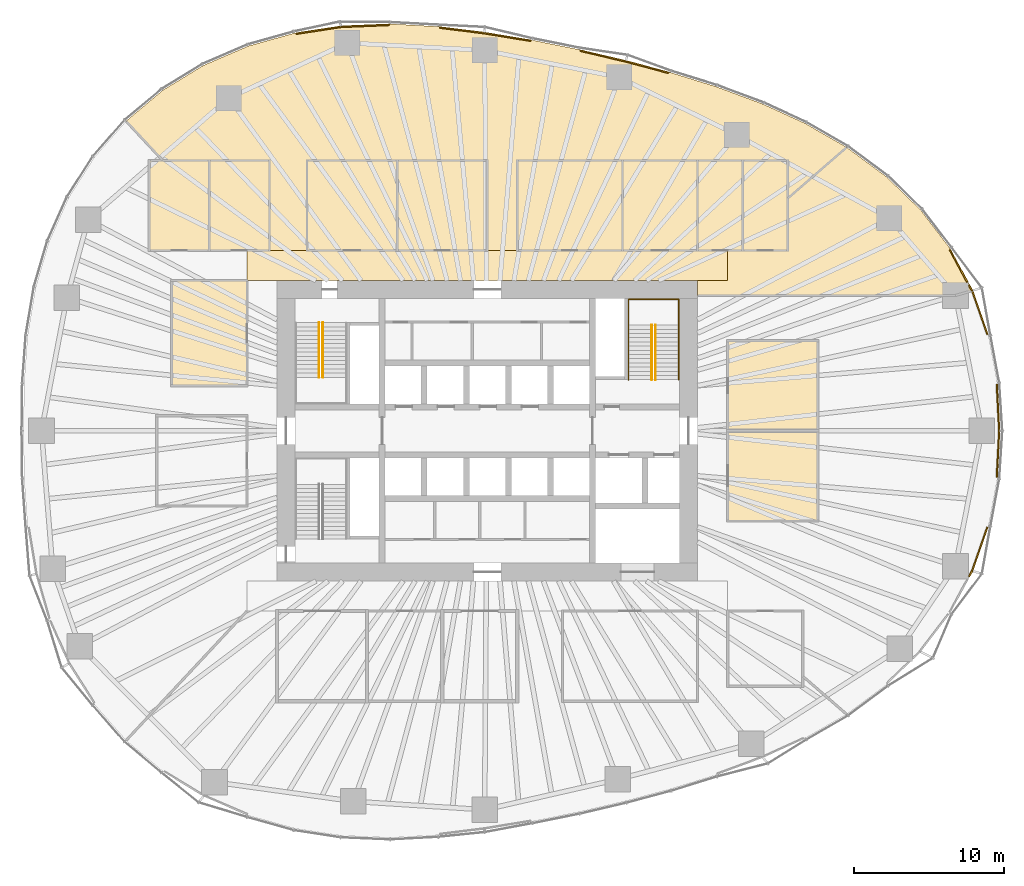
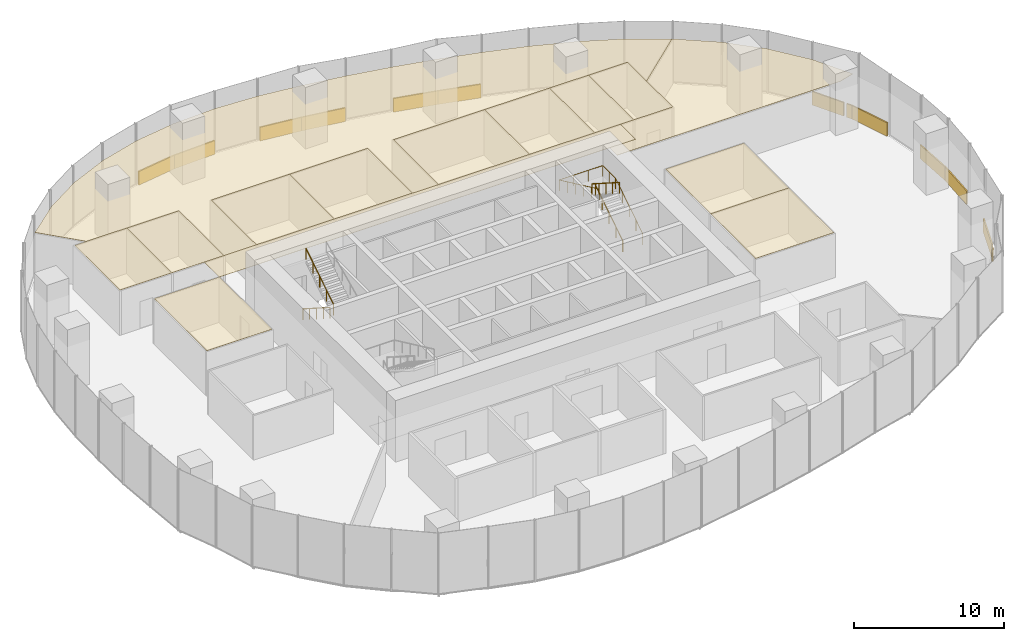
# One storey, part 19 of 19: 27 coverings, 5 railings.
"""IFC4 building model written with IfcOpenShell, lengths in metres."""

from ifc_helpers import new_model, si_unit, direction, frame, origin, origin_2d, place, context, subcontext, project, spatial, polyline, rectangle, circle, outline, extrude, material, layer, layer_set, type_object, element, save


model = new_model("IFC4")

# Units and contexts
model_context = context("Model", 3, precision=1e-05, world=origin(), true_north=direction((0.0, 1.0)))
body_context = subcontext(model_context, "Body", "Model", "MODEL_VIEW")
ifc_project = project(units=[si_unit("LENGTHUNIT", "METRE"), si_unit("AREAUNIT", "SQUARE_METRE"), si_unit("VOLUMEUNIT", "CUBIC_METRE"), si_unit("PLANEANGLEUNIT", "RADIAN"), si_unit("MASSUNIT", "GRAM", prefix="KILO")], contexts=[model_context])

# Site, building, storey
site_placement = place(None, origin())
site = spatial("IfcSite", under=ifc_project, at=site_placement, CompositionType="ELEMENT")
building_placement = place(site_placement, origin())
building = spatial("IfcBuilding", under=site, at=building_placement, Name="Ghaith Harvest Tower", CompositionType="ELEMENT")
storey_placement = place(building_placement, frame((0.0, 0.0, 70.0)))
storey = spatial("IfcBuildingStorey", under=building, at=storey_placement, Name="L14", CompositionType="ELEMENT", Elevation=70.0)

# Coverings
ifc_material_1 = material(Name="Mineral fibre ceiling tile", Category="gypsum")
ifc_layer_1 = layer(ifc_material_1, 0.02490234375)
ifc_layer_set_1 = layer_set([ifc_layer_1], Name="CEILING C2")
covering_type_1 = type_object("IfcCoveringType", Name="CEILING C2", PredefinedType="CEILING", material=ifc_layer_set_1)
covering_1_placement = place(storey_placement, frame((0.0, 0.0, 3.60009765625)))
element("IfcCovering", 1, at=covering_1_placement, inside=storey, type_object=covering_type_1, Name="Ceiling L14-01", PredefinedType="CEILING", context=body_context, shape_type="SweptSolid", body=[
    extrude(outline(polyline([(-12.0, 12.0), (-6.0, 12.0), (-6.0, 18.0), (-12.0, 18.0), (-12.0, 12.0)])), origin(), (0.0, 0.0, 1.0), 0.02490234375),
])
covering_2_placement = place(storey_placement, frame((0.0, 0.0, 3.60009765625)))
element("IfcCovering", 2, at=covering_2_placement, inside=storey, type_object=covering_type_1, Name="Ceiling L14-02", PredefinedType="CEILING", context=body_context, shape_type="SweptSolid", body=[
    extrude(outline(polyline([(-6.0, 12.0), (0.0, 12.0), (0.0, 18.0), (-6.0, 18.0), (-6.0, 12.0)])), origin(), (0.0, 0.0, 1.0), 0.02490234375),
])
covering_3_placement = place(storey_placement, frame((0.0, 0.0, 3.60009765625)))
element("IfcCovering", 3, at=covering_3_placement, inside=storey, type_object=covering_type_1, Name="Ceiling L14-08", PredefinedType="CEILING", context=body_context, shape_type="SweptSolid", body=[
    extrude(outline(polyline([(16.0, -6.0), (22.0, -6.0), (22.0, 0.0), (16.0, 0.0), (16.0, -6.0)])), origin(), (0.0, 0.0, 1.0), 0.02490234375),
])
covering_4_placement = place(storey_placement, frame((0.0, 0.0, 3.60009765625)))
element("IfcCovering", 4, at=covering_4_placement, inside=storey, type_object=covering_type_1, Name="Ceiling L14-09", PredefinedType="CEILING", context=body_context, shape_type="SweptSolid", body=[
    extrude(outline(polyline([(16.0, 0.0), (22.0, 0.0), (22.0, 6.0), (16.0, 6.0), (16.0, 0.0)])), origin(), (0.0, 0.0, 1.0), 0.02490234375),
])
covering_5_placement = place(storey_placement, frame((0.0, 0.0, 3.60009765625)))
element("IfcCovering", 5, at=covering_5_placement, inside=storey, type_object=covering_type_1, Name="Ceiling L14-10", PredefinedType="CEILING", context=body_context, shape_type="SweptSolid", body=[
    extrude(outline(polyline([(2.0, 12.0), (9.0, 12.0), (9.0, 18.0), (2.0, 18.0), (2.0, 12.0)])), origin(), (0.0, 0.0, 1.0), 0.02490234375),
])
covering_6_placement = place(storey_placement, frame((0.0, 0.0, 3.60009765625)))
element("IfcCovering", 6, at=covering_6_placement, inside=storey, type_object=covering_type_1, Name="Ceiling L14-11", PredefinedType="CEILING", context=body_context, shape_type="SweptSolid", body=[
    extrude(outline(polyline([(9.0, 12.0), (14.0, 12.0), (14.0, 18.0), (9.0, 18.0), (9.0, 12.0)])), origin(), (0.0, 0.0, 1.0), 0.02490234375),
])
covering_7_placement = place(storey_placement, frame((0.0, 0.0, 3.60009765625)))
element("IfcCovering", 7, at=covering_7_placement, inside=storey, type_object=covering_type_1, Name="Ceiling L14-12", PredefinedType="CEILING", context=body_context, shape_type="SweptSolid", body=[
    extrude(outline(polyline([(14.0, 12.0), (17.0, 12.0), (17.0, 18.0), (14.0, 18.0), (14.0, 12.0)])), origin(), (0.0, 0.0, 1.0), 0.02490234375),
])
covering_8_placement = place(storey_placement, frame((0.0, 0.0, 3.60009765625)))
element("IfcCovering", 8, at=covering_8_placement, inside=storey, type_object=covering_type_1, Name="Ceiling L14-13", PredefinedType="CEILING", context=body_context, shape_type="SweptSolid", body=[
    extrude(outline(polyline([(17.0, 12.0), (20.0, 12.0), (20.0, 18.0), (17.0, 18.0), (17.0, 12.0)])), origin(), (0.0, 0.0, 1.0), 0.02490234375),
])
covering_9_placement = place(storey_placement, frame((0.0, 0.0, 3.60009765625)))
element("IfcCovering", 9, at=covering_9_placement, inside=storey, type_object=covering_type_1, Name="Ceiling L14-14", PredefinedType="CEILING", context=body_context, shape_type="SweptSolid", body=[
    extrude(outline(polyline([(-22.5, 12.0), (-18.5, 12.0), (-18.5, 18.0), (-22.5, 18.0), (-22.5, 12.0)])), origin(), (0.0, 0.0, 1.0), 0.02490234375),
])
covering_10_placement = place(storey_placement, frame((0.0, 0.0, 3.60009765625)))
element("IfcCovering", 10, at=covering_10_placement, inside=storey, type_object=covering_type_1, Name="Ceiling L14-15", PredefinedType="CEILING", context=body_context, shape_type="SweptSolid", body=[
    extrude(outline(polyline([(-18.5, 12.0), (-14.5, 12.0), (-14.5, 18.0), (-18.5, 18.0), (-18.5, 12.0)])), origin(), (0.0, 0.0, 1.0), 0.02490234375),
])
covering_11_placement = place(storey_placement, frame((0.0, 0.0, 3.60009765625)))
element("IfcCovering", 11, at=covering_11_placement, inside=storey, type_object=covering_type_1, Name="Ceiling L14-17", PredefinedType="CEILING", context=body_context, shape_type="SweptSolid", body=[
    extrude(outline(polyline([(-21.0, 3.0), (-16.0, 3.0), (-16.0, 10.0), (-21.0, 10.0), (-21.0, 3.0)])), origin(), (0.0, 0.0, 1.0), 0.02490234375),
])
covering_12_placement = place(storey_placement, frame((0.0, 0.0, 3.60009765625)))
element("IfcCovering", 12, at=covering_12_placement, inside=storey, type_object=covering_type_1, Name="Ceiling L14-C1", PredefinedType="CEILING", context=body_context, shape_type="SweptSolid", body=[
    extrude(outline(polyline([(16.0, 10.0), (-16.0, 10.0), (-16.0, 12.0), (16.0, 12.0), (16.0, 10.0)])), origin(), (0.0, 0.0, 1.0), 0.02490234375),
])
covering_13_placement = place(storey_placement, frame((0.0, 0.0, 3.60009765625)))
element("IfcCovering", 13, at=covering_13_placement, inside=storey, type_object=covering_type_1, Name="Ceiling L14-N1", PredefinedType="CEILING", context=body_context, shape_type="SweptSolid", body=[
    extrude(outline(polyline([(-21.59912109375, 22.671142578125), (-18.8935546875, 24.32763671875), (-15.907958984375, 25.614501953125), (-12.828125, 26.476806640625), (-9.733642578125, 26.949951171875), (-6.4375, 27.0849609375), (-3.24755859375, 26.91064453125), (-0.181396484375, 26.527099609375), (2.99560546875, 26.004150390625), (6.10888671875, 25.378662109375), (9.21533203125, 24.65087890625), (12.1796875, 23.857666015625), (15.22119140625, 22.916259765625), (18.34521484375, 21.7548828125), (21.149169921875, 20.469482421875), (23.92431640625, 18.873046875), (20.0, 15.469482421875), (20.0, 18.0), (2.0, 18.0), (2.0, 12.0), (0.0, 12.0), (0.0, 18.0), (-12.0, 18.0), (-12.0, 12.0), (-14.5, 12.0), (-14.5, 18.0), (-21.60302734375, 18.0), (-24.04833984375, 20.618408203125), (-21.59912109375, 22.671142578125)])), origin(), (0.0, 0.0, 1.0), 0.02490234375),
])
covering_14_placement = place(storey_placement, frame((0.0, 0.0, 3.60009765625)))
element("IfcCovering", 14, at=covering_14_placement, inside=storey, type_object=covering_type_1, Name="Ceiling L14-E1", PredefinedType="CEILING", context=body_context, shape_type="SweptSolid", body=[
    extrude(outline(polyline([(26.572509765625, 16.9111328125), (28.840087890625, 14.708984375), (30.78515625, 12.1708984375), (32.318359375, 9.3408203125), (32.318359375, 9.3408203125), (31.166015625, 9.008056640625), (14.0, 9.008056640625), (14.0, 10.0), (16.0, 10.0), (16.0, 12.0), (20.0, 12.0), (20.0, 15.469482421875), (23.92431640625, 18.873046875), (26.572509765625, 16.9111328125)])), origin(), (0.0, 0.0, 1.0), 0.02490234375),
])

# Railings
ifc_material_2 = material(Name="Steel, black powder-coated", Category="steel")
railing_type = type_object("IfcRailingType", Name="HANDRAIL HR1", PredefinedType="HANDRAIL", material=ifc_material_2)
railing_1_placement = place(storey_placement, frame((-11.199951171875, 7.199951171875, 0.178466796875)))
element("IfcRailing", 15, at=railing_1_placement, inside=storey, type_object=railing_type, Name="Handrail HR1 stair ST1 L14 flight 1 inner", PredefinedType="HANDRAIL", context=body_context, shape_type="SweptSolid", body=[
    extrude(circle(Radius=0.02392578125, at=origin_2d()), frame((0.0, 0.0, 0.8759765625), z_axis=(0.0, -0.843111507901, 0.53773877045), x_axis=(1.0, 0.0, 0.0)), (0.0, 0.0, 1.0), 4.317138671875),
    extrude(circle(Radius=0.02099609375, at=origin_2d()), origin(), (0.0, 0.0, 1.0), 0.851806640625),
    extrude(circle(Radius=0.02099609375, at=origin_2d()), frame((0.0, -0.909912109375, 0.580322265625)), (0.0, 0.0, 1.0), 0.851806640625),
    extrude(circle(Radius=0.02099609375, at=origin_2d()), frame((0.0, -1.81982421875, 1.16064453125)), (0.0, 0.0, 1.0), 0.851806640625),
    extrude(circle(Radius=0.02099609375, at=origin_2d()), frame((0.0, -2.72998046875, 1.7412109375)), (0.0, 0.0, 1.0), 0.851806640625),
    extrude(circle(Radius=0.02099609375, at=origin_2d()), frame((0.0, -3.639892578125, 2.321533203125)), (0.0, 0.0, 1.0), 0.851806640625),
])
railing_2_placement = place(storey_placement, frame((-10.949951171875, 3.56005859375, 2.678466796875)))
element("IfcRailing", 16, at=railing_2_placement, inside=storey, type_object=railing_type, Name="Handrail HR1 stair ST1 L14 flight 2 inner", PredefinedType="HANDRAIL", context=body_context, shape_type="SweptSolid", body=[
    extrude(circle(Radius=0.02392578125, at=origin_2d()), frame((0.0, 0.0, 0.8759765625), z_axis=(0.0, 0.843111507901, 0.53773877045), x_axis=(-1.0, 0.0, 0.0)), (0.0, 0.0, 1.0), 4.317138671875),
    extrude(circle(Radius=0.02099609375, at=origin_2d()), origin(), (0.0, 0.0, 1.0), 0.851806640625),
    extrude(circle(Radius=0.02099609375, at=origin_2d()), frame((0.0, 0.909912109375, 0.580322265625)), (0.0, 0.0, 1.0), 0.851806640625),
    extrude(circle(Radius=0.02099609375, at=origin_2d()), frame((0.0, 1.81982421875, 1.16064453125)), (0.0, 0.0, 1.0), 0.851806640625),
    extrude(circle(Radius=0.02099609375, at=origin_2d()), frame((0.0, 2.72998046875, 1.7412109375)), (0.0, 0.0, 1.0), 0.851806640625),
    extrude(circle(Radius=0.02099609375, at=origin_2d()), frame((0.0, 3.639892578125, 2.321533203125)), (0.0, 0.0, 1.0), 0.851806640625),
])
railing_3_placement = place(storey_placement, frame((11.199951171875, 3.39990234375, 0.178466796875)))
element("IfcRailing", 17, at=railing_3_placement, inside=storey, type_object=railing_type, Name="Handrail HR1 stair ST2 L14 flight 1 inner", PredefinedType="HANDRAIL", context=body_context, shape_type="SweptSolid", body=[
    extrude(circle(Radius=0.02392578125, at=origin_2d()), frame((0.0, 0.0, 0.8759765625), z_axis=(0.0, 0.843127859045, 0.537713132908), x_axis=(-1.0, 0.0, 0.0)), (0.0, 0.0, 1.0), 4.3173828125),
    extrude(circle(Radius=0.02099609375, at=origin_2d()), origin(), (0.0, 0.0, 1.0), 0.851806640625),
    extrude(circle(Radius=0.02099609375, at=origin_2d()), frame((0.0, 0.91015625, 0.580322265625)), (0.0, 0.0, 1.0), 0.851806640625),
    extrude(circle(Radius=0.02099609375, at=origin_2d()), frame((0.0, 1.820068359375, 1.16064453125)), (0.0, 0.0, 1.0), 0.851806640625),
    extrude(circle(Radius=0.02099609375, at=origin_2d()), frame((0.0, 2.72998046875, 1.7412109375)), (0.0, 0.0, 1.0), 0.851806640625),
    extrude(circle(Radius=0.02099609375, at=origin_2d()), frame((0.0, 3.64013671875, 2.321533203125)), (0.0, 0.0, 1.0), 0.851806640625),
])
railing_4_placement = place(storey_placement, frame((10.949951171875, 7.0400390625, 2.678466796875)))
element("IfcRailing", 18, at=railing_4_placement, inside=storey, type_object=railing_type, Name="Handrail HR1 stair ST2 L14 flight 2 inner", PredefinedType="HANDRAIL", context=body_context, shape_type="SweptSolid", body=[
    extrude(circle(Radius=0.02392578125, at=origin_2d()), frame((0.0, 0.0, 0.8759765625), z_axis=(0.0, -0.843127859045, 0.537713132908), x_axis=(1.0, 0.0, 0.0)), (0.0, 0.0, 1.0), 4.3173828125),
    extrude(circle(Radius=0.02099609375, at=origin_2d()), origin(), (0.0, 0.0, 1.0), 0.851806640625),
    extrude(circle(Radius=0.02099609375, at=origin_2d()), frame((0.0, -0.91015625, 0.580322265625)), (0.0, 0.0, 1.0), 0.851806640625),
    extrude(circle(Radius=0.02099609375, at=origin_2d()), frame((0.0, -1.820068359375, 1.16064453125)), (0.0, 0.0, 1.0), 0.851806640625),
    extrude(circle(Radius=0.02099609375, at=origin_2d()), frame((0.0, -2.72998046875, 1.7412109375)), (0.0, 0.0, 1.0), 0.851806640625),
    extrude(circle(Radius=0.02099609375, at=origin_2d()), frame((0.0, -3.64013671875, 2.321533203125)), (0.0, 0.0, 1.0), 0.851806640625),
])
railing_5_placement = place(storey_placement, frame((12.75, 3.39990234375, 0.178466796875)))
element("IfcRailing", 19, at=railing_5_placement, inside=storey, type_object=railing_type, Name="Handrail HR1 stair ST2 L14 wall side", PredefinedType="HANDRAIL", context=body_context, shape_type="SweptSolid", body=[
    extrude(circle(Radius=0.02392578125, at=origin_2d()), frame((0.0, 0.0, 0.8759765625), z_axis=(0.0, 0.843127859045, 0.537713132908), x_axis=(-1.0, 0.0, 0.0)), (0.0, 0.0, 1.0), 4.3173828125),
    extrude(circle(Radius=0.02392578125, at=origin_2d()), frame((0.0, 3.64013671875, 3.197265625), z_axis=(0.0, 1.0, 0.0), x_axis=(-1.0, 0.0, 0.0)), (0.0, 0.0, 1.0), 1.7099609375),
    extrude(circle(Radius=0.02392578125, at=origin_2d()), frame((0.0, 5.35009765625, 3.197265625), z_axis=(-1.0, 0.0, 0.0), x_axis=(0.0, -1.0, 0.0)), (0.0, 0.0, 1.0), 3.35009765625),
    extrude(circle(Radius=0.02392578125, at=origin_2d()), frame((-3.35009765625, 5.35009765625, 3.197265625), z_axis=(0.0, -0.905969675553, 0.423342588193), x_axis=(1.0, 0.0, 0.0)), (0.0, 0.0, 1.0), 5.9052734375),
    extrude(circle(Radius=0.02099609375, at=origin_2d()), origin(), (0.0, 0.0, 1.0), 0.851806640625),
    extrude(circle(Radius=0.02099609375, at=origin_2d()), frame((0.0, 0.91015625, 0.580322265625)), (0.0, 0.0, 1.0), 0.851806640625),
    extrude(circle(Radius=0.02099609375, at=origin_2d()), frame((0.0, 1.820068359375, 1.16064453125)), (0.0, 0.0, 1.0), 0.851806640625),
    extrude(circle(Radius=0.02099609375, at=origin_2d()), frame((0.0, 2.72998046875, 1.7412109375)), (0.0, 0.0, 1.0), 0.851806640625),
    extrude(circle(Radius=0.02099609375, at=origin_2d()), frame((0.0, 3.64013671875, 2.321533203125)), (0.0, 0.0, 1.0), 0.851806640625),
    extrude(circle(Radius=0.02099609375, at=origin_2d()), frame((0.0, 4.4951171875, 2.321533203125)), (0.0, 0.0, 1.0), 0.851806640625),
    extrude(circle(Radius=0.02099609375, at=origin_2d()), frame((0.0, 5.35009765625, 2.321533203125)), (0.0, 0.0, 1.0), 0.851806640625),
    extrude(circle(Radius=0.02099609375, at=origin_2d()), frame((-1.11669921875, 5.35009765625, 2.321533203125)), (0.0, 0.0, 1.0), 0.851806640625),
    extrude(circle(Radius=0.02099609375, at=origin_2d()), frame((-2.2333984375, 5.35009765625, 2.321533203125)), (0.0, 0.0, 1.0), 0.851806640625),
    extrude(circle(Radius=0.02099609375, at=origin_2d()), frame((-3.35009765625, 5.35009765625, 2.321533203125)), (0.0, 0.0, 1.0), 0.851806640625),
    extrude(circle(Radius=0.02099609375, at=origin_2d()), frame((-3.35009765625, 4.280029296875, 2.821533203125)), (0.0, 0.0, 1.0), 0.851806640625),
    extrude(circle(Radius=0.02099609375, at=origin_2d()), frame((-3.35009765625, 3.2099609375, 3.321533203125)), (0.0, 0.0, 1.0), 0.851806640625),
    extrude(circle(Radius=0.02099609375, at=origin_2d()), frame((-3.35009765625, 2.14013671875, 3.821533203125)), (0.0, 0.0, 1.0), 0.851806640625),
    extrude(circle(Radius=0.02099609375, at=origin_2d()), frame((-3.35009765625, 1.070068359375, 4.321533203125)), (0.0, 0.0, 1.0), 0.851806640625),
    extrude(circle(Radius=0.02099609375, at=origin_2d()), frame((-3.35009765625, 0.0, 4.821533203125)), (0.0, 0.0, 1.0), 0.851806640625),
])

# Coverings
ifc_material_3 = material(Name="Insulated aluminium spandrel panel on steel framing", Category="steel")
ifc_layer_2 = layer(ifc_material_3, 0.10009765625)
ifc_layer_set_2 = layer_set([ifc_layer_2], Name="SLAB EDGE UPSTAND 1100x100")
covering_type_2 = type_object("IfcCoveringType", Name="SLAB EDGE UPSTAND 1100x100", PredefinedType="CLADDING", material=ifc_layer_set_2)
covering_15_placement = place(storey_placement, frame((33.994384765625, 1.54443359375, 0.0), z_axis=(0.0, 0.0, 1.0), x_axis=(-0.052048501689, 0.998644558125, 0.0)))
element("IfcCovering", 20, at=covering_15_placement, inside=storey, type_object=covering_type_2, Name="Slab edge upstand 1 bay 01 L14", PredefinedType="CLADDING", context=body_context, shape_type="SweptSolid", body=[
    extrude(rectangle(XDim=3.098388671875, YDim=0.10009765625, at=origin_2d()), origin(), (0.0, 0.0, 1.0), 1.10009765625),
])
covering_16_placement = place(storey_placement, frame((32.78125, 7.867919921875, 0.0), z_axis=(0.0, 0.0, 1.0), x_axis=(-0.330597697022, 0.943771774702, 0.0)))
element("IfcCovering", 21, at=covering_16_placement, inside=storey, type_object=covering_type_2, Name="Slab edge upstand 3 bay 01 L14", PredefinedType="CLADDING", context=body_context, shape_type="SweptSolid", body=[
    extrude(rectangle(XDim=3.0859375, YDim=0.10009765625, at=origin_2d()), origin(), (0.0, 0.0, 1.0), 1.10009765625),
])
covering_17_placement = place(storey_placement, frame((32.172119140625, 9.505615234375, 0.0), z_axis=(0.0, 0.0, 1.0), x_axis=(-0.476349292539, 0.87925613532, 0.0)))
element("IfcCovering", 22, at=covering_17_placement, inside=storey, type_object=covering_type_2, Name="Slab edge upstand 1 bay 02 L14", PredefinedType="CLADDING", context=body_context, shape_type="SweptSolid", body=[
    extrude(rectangle(XDim=0.42919921875, YDim=0.10009765625, at=origin_2d()), origin(), (0.0, 0.0, 1.0), 1.10009765625),
])
covering_18_placement = place(storey_placement, frame((31.3759765625, 10.9755859375, 0.0), z_axis=(0.0, 0.0, 1.0), x_axis=(-0.476349292539, 0.87925613532, 0.0)))
element("IfcCovering", 23, at=covering_18_placement, inside=storey, type_object=covering_type_2, Name="Slab edge upstand 1 bay 02 L14", PredefinedType="CLADDING", context=body_context, shape_type="SweptSolid", body=[
    extrude(rectangle(XDim=2.46484375, YDim=0.10009765625, at=origin_2d()), origin(), (0.0, 0.0, 1.0), 1.10009765625),
])
covering_19_placement = place(storey_placement, frame((10.63623046875, 24.218994140625, 0.0), z_axis=(0.0, 0.0, 1.0), x_axis=(-0.9660243418, 0.258451099919, 0.0)))
element("IfcCovering", 24, at=covering_19_placement, inside=storey, type_object=covering_type_2, Name="Slab edge upstand 3 bay 04 L14", PredefinedType="CLADDING", context=body_context, shape_type="SweptSolid", body=[
    extrude(rectangle(XDim=2.968505859375, YDim=0.10009765625, at=origin_2d()), origin(), (0.0, 0.0, 1.0), 1.10009765625),
])
covering_20_placement = place(storey_placement, frame((7.699462890625, 24.95458984375, 0.0), z_axis=(0.0, 0.0, 1.0), x_axis=(-0.973634089594, 0.228115452305, 0.0)))
element("IfcCovering", 25, at=covering_20_placement, inside=storey, type_object=covering_type_2, Name="Slab edge upstand 1 bay 05 L14", PredefinedType="CLADDING", context=body_context, shape_type="SweptSolid", body=[
    extrude(rectangle(XDim=3.090576171875, YDim=0.10009765625, at=origin_2d()), origin(), (0.0, 0.0, 1.0), 1.10009765625),
])
covering_21_placement = place(storey_placement, frame((1.349609375, 26.224365234375, 0.0), z_axis=(0.0, 0.0, 1.0), x_axis=(-0.986716247541, 0.162453214305, 0.0)))
element("IfcCovering", 26, at=covering_21_placement, inside=storey, type_object=covering_type_2, Name="Slab edge upstand 3 bay 05 L14", PredefinedType="CLADDING", context=body_context, shape_type="SweptSolid", body=[
    extrude(rectangle(XDim=3.119873046875, YDim=0.10009765625, at=origin_2d()), origin(), (0.0, 0.0, 1.0), 1.10009765625),
])
covering_22_placement = place(storey_placement, frame((-1.671142578125, 26.6630859375, 0.0), z_axis=(0.0, 0.0, 1.0), x_axis=(-0.99226486887, 0.124138753038, 0.0)))
element("IfcCovering", 27, at=covering_22_placement, inside=storey, type_object=covering_type_2, Name="Slab edge upstand 1 bay 06 L14", PredefinedType="CLADDING", context=body_context, shape_type="SweptSolid", body=[
    extrude(rectangle(XDim=2.98974609375, YDim=0.10009765625, at=origin_2d()), origin(), (0.0, 0.0, 1.0), 1.10009765625),
])
covering_23_placement = place(storey_placement, frame((-8.133544921875, 26.965576171875, 0.0), z_axis=(0.0, 0.0, 1.0), x_axis=(-0.999160890982, -0.040957464901, 0.0)))
element("IfcCovering", 28, at=covering_23_placement, inside=storey, type_object=covering_type_2, Name="Slab edge upstand 3 bay 06 L14", PredefinedType="CLADDING", context=body_context, shape_type="SweptSolid", body=[
    extrude(rectangle(XDim=3.198974609375, YDim=0.10009765625, at=origin_2d()), origin(), (0.0, 0.0, 1.0), 1.10009765625),
])
covering_24_placement = place(storey_placement, frame((-11.22412109375, 26.67138671875, 0.0), z_axis=(0.0, 0.0, 1.0), x_axis=(-0.988517924816, -0.1511036476, 0.0)))
element("IfcCovering", 29, at=covering_24_placement, inside=storey, type_object=covering_type_2, Name="Slab edge upstand 1 bay 07 L14", PredefinedType="CLADDING", context=body_context, shape_type="SweptSolid", body=[
    extrude(rectangle(XDim=3.030517578125, YDim=0.10009765625, at=origin_2d()), origin(), (0.0, 0.0, 1.0), 1.10009765625),
])
covering_25_placement = place(storey_placement, frame((32.172119140625, -9.505615234375, 0.0), z_axis=(0.0, 0.0, 1.0), x_axis=(0.4763492928, 0.879256135178, 0.0)))
element("IfcCovering", 30, at=covering_25_placement, inside=storey, type_object=covering_type_2, Name="Slab edge upstand 3 bay 19 L14", PredefinedType="CLADDING", context=body_context, shape_type="SweptSolid", body=[
    extrude(rectangle(XDim=0.42919921875, YDim=0.10009765625, at=origin_2d()), origin(), (0.0, 0.0, 1.0), 1.10009765625),
])
covering_26_placement = place(storey_placement, frame((32.78125, -7.867919921875, 0.0), z_axis=(0.0, 0.0, 1.0), x_axis=(0.330597697302, 0.943771774604, 0.0)))
element("IfcCovering", 31, at=covering_26_placement, inside=storey, type_object=covering_type_2, Name="Slab edge upstand 1 bay 20 L14", PredefinedType="CLADDING", context=body_context, shape_type="SweptSolid", body=[
    extrude(rectangle(XDim=3.0859375, YDim=0.10009765625, at=origin_2d()), origin(), (0.0, 0.0, 1.0), 1.10009765625),
])
covering_27_placement = place(storey_placement, frame((33.994384765625, -1.54443359375, 0.0), z_axis=(0.0, 0.0, 1.0), x_axis=(0.052048501794, 0.998644558119, 0.0)))
element("IfcCovering", 32, at=covering_27_placement, inside=storey, type_object=covering_type_2, Name="Slab edge upstand 3 bay 20 L14", PredefinedType="CLADDING", context=body_context, shape_type="SweptSolid", body=[
    extrude(rectangle(XDim=3.098388671875, YDim=0.10009765625, at=origin_2d()), origin(), (0.0, 0.0, 1.0), 1.10009765625),
])

save(model, "model.ifc")
